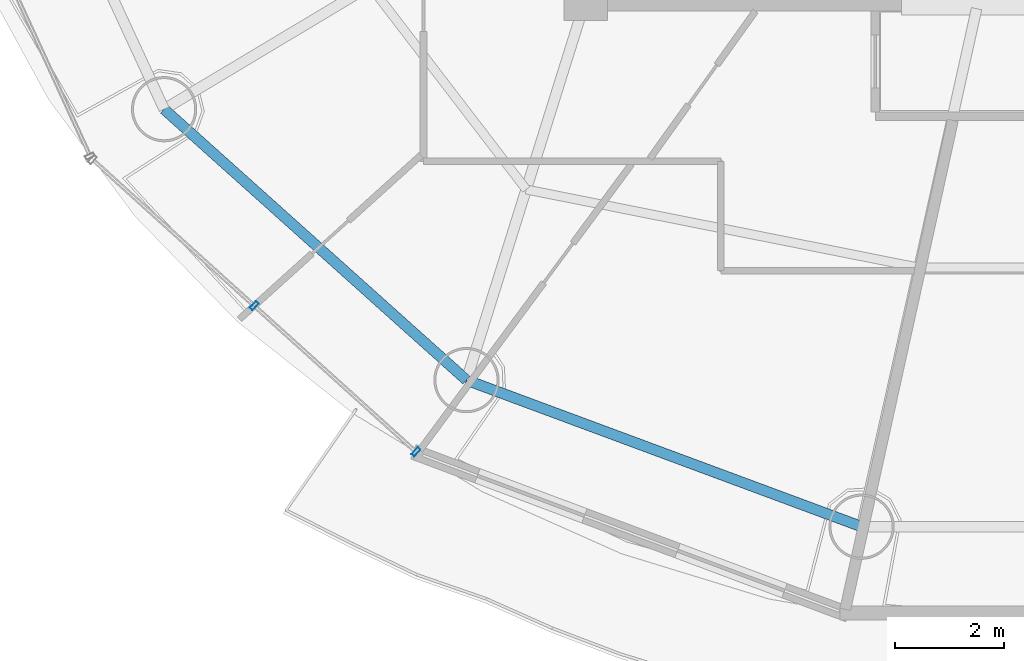
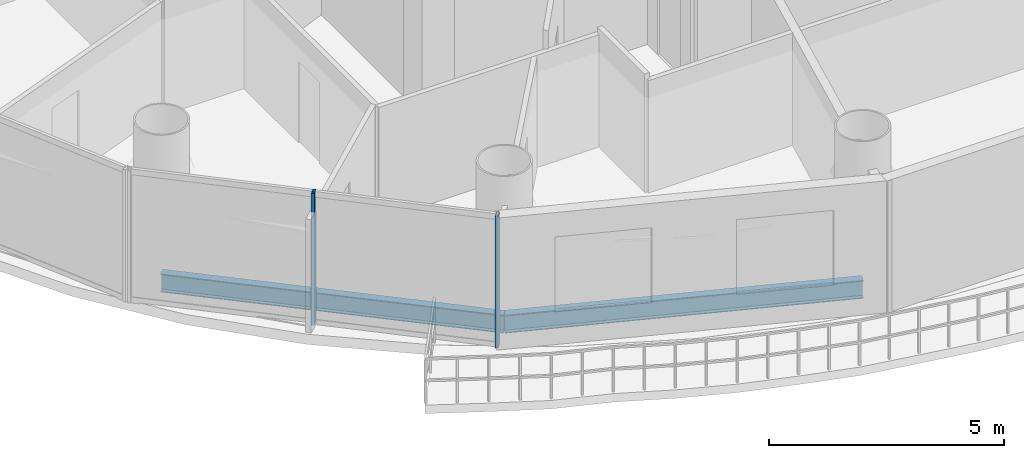
# One storey, part 2 of 26: 2 beams, 2 members, 1 element without a shape of its own.
"""IFC4 building model written with IfcOpenShell, lengths in metres."""

from ifc_helpers import new_model, si_unit, direction, frame, origin, origin_2d, place, context, subcontext, project, spatial, hollow_rectangle, i_section, extrude, source, transform, mapped, material, material_profile, profile_set, type_object, element, aggregate, save


model = new_model("IFC4")

# Units and contexts
model_context = context("Model", 3, precision=1e-05, world=origin(), true_north=direction((-0.2419218956, 0.970295726276)))
body_context = subcontext(model_context, "Body", "Model", "MODEL_VIEW")
ifc_project = project(units=[si_unit("LENGTHUNIT", "METRE"), si_unit("AREAUNIT", "SQUARE_METRE"), si_unit("VOLUMEUNIT", "CUBIC_METRE"), si_unit("PLANEANGLEUNIT", "RADIAN"), si_unit("MASSUNIT", "GRAM", prefix="KILO")], contexts=[model_context])

# Site, building, storey
site_placement = place(None, origin())
site = spatial("IfcSite", under=ifc_project, at=site_placement, CompositionType="ELEMENT")
building_placement = place(site_placement, origin())
building = spatial("IfcBuilding", under=site, at=building_placement, Name="Cobrevalo Terracotta Tower", CompositionType="ELEMENT")
storey_placement = place(building_placement, frame((0.0, 0.0, 217.10009765625)))
storey = spatial("IfcBuildingStorey", under=building, at=storey_placement, Name="L57", CompositionType="ELEMENT", Elevation=217.10009765625)

# Beams
ifc_material_1 = material(Name="Steel S355", Category="steel")
ifc_material_profile_1 = material_profile(ifc_material_1, i_section(OverallWidth=0.194091796875, OverallDepth=0.468994140625, WebThickness=0.011474609375, FlangeThickness=0.0205078125, at=origin_2d()), Name="W 460x106")
ifc_profile_set_1 = profile_set([ifc_material_profile_1], Name="Steel S355")
beam_type = type_object("IfcBeamType", Name="Structural Spandrel W 460x106 (Steel S355)", PredefinedType="SPANDREL", material=ifc_profile_set_1)
beam_1_placement = place(storey_placement, frame((21.245849609375, 16.77197265625, -0.49951171875), z_axis=(0.744851930997, -0.667229796165, 0.0), x_axis=(0.667229796165, 0.744851930997, 0.0)))
element("IfcBeam", 1, at=beam_1_placement, inside=storey, type_object=beam_type, Name="L57 perimeter ring spandrel 10", PredefinedType="SPANDREL", context=body_context, shape_type="SweptSolid", body=[
    extrude(i_section(OverallWidth=0.194091796875, OverallDepth=0.468994140625, WebThickness=0.011474609375, FlangeThickness=0.0205078125, at=origin_2d()), origin(), (0.0, 0.0, 1.0), 7.463623046875),
])
beam_2_placement = place(storey_placement, frame((26.80517578125, 11.7919921875, -0.49951171875), z_axis=(0.937545996665, -0.347861328892, 0.0), x_axis=(0.347861328892, 0.937545996665, 0.0)))
element("IfcBeam", 2, at=beam_2_placement, inside=storey, type_object=beam_type, Name="L57 perimeter ring spandrel 11", PredefinedType="SPANDREL", context=body_context, shape_type="SweptSolid", body=[
    extrude(i_section(OverallWidth=0.194091796875, OverallDepth=0.468994140625, WebThickness=0.011474609375, FlangeThickness=0.0205078125, at=origin_2d()), origin(), (0.0, 0.0, 1.0), 7.74755859375),
])

# Curtain wall, members
ifc_material_2 = material(Name="Anodized aluminium", Category="aluminium")
curtain_wall_type = type_object("IfcCurtainWallType", Name="Mid-tower high-wind unitised curtain wall CW-U2", PredefinedType="NOTDEFINED", material=ifc_material_2)
curtain_wall_placement = place(storey_placement, origin())
curtain_wall = element("IfcCurtainWall", 3, at=curtain_wall_placement, inside=storey, type_object=curtain_wall_type, Name="L57 curtain wall CW-L57-S10", PredefinedType="NOTDEFINED")
ifc_material_profile_2 = material_profile(ifc_material_2, hollow_rectangle(XDim=0.070068359375, YDim=0.169921875, WallThickness=0.00439453125, at=origin_2d()), Name="CWM 70x170")
ifc_profile_set_2 = profile_set([ifc_material_profile_2], Name="Anodized aluminium")
member_type = type_object("IfcMemberType", Name="Upper tower unitised mullion 70x170", PredefinedType="MULLION", material=ifc_profile_set_2)
shared_shape = source(origin(), body_context, "Body", "SweptSolid", [
    extrude(hollow_rectangle(XDim=0.070068359375, YDim=0.169921875, WallThickness=0.00439453125, at=origin_2d()), origin(), (0.0, 0.0, 1.0), 3.434814453125),
])
member_1_placement = place(storey_placement, frame((22.902099609375, 13.158447265625, 0.0), z_axis=(0.0, 0.0, 1.0), x_axis=(0.741987542015, -0.670413668935, 0.0)))
member_1 = element("IfcMember", 4, at=member_1_placement, type_object=member_type, Name="CW-L57-S10 vertical mullion 02", PredefinedType="MULLION", context=body_context, shape_type="MappedRepresentation", body=[
    mapped(shared_shape, transform((0.0, 0.0, 0.0), scale=1.0)),
])
member_2_placement = place(storey_placement, frame((25.87548828125, 10.471923828125, 0.0), z_axis=(0.0, 0.0, 1.0), x_axis=(0.741987542015, -0.670413668935, 0.0)))
member_2 = element("IfcMember", 5, at=member_2_placement, type_object=member_type, Name="CW-L57-S10 vertical mullion 03", PredefinedType="MULLION", context=body_context, shape_type="MappedRepresentation", body=[
    mapped(shared_shape, transform((0.0, 0.0, 0.0), scale=1.0)),
])
aggregate(curtain_wall, [member_1, member_2])

save(model, "model.ifc")
